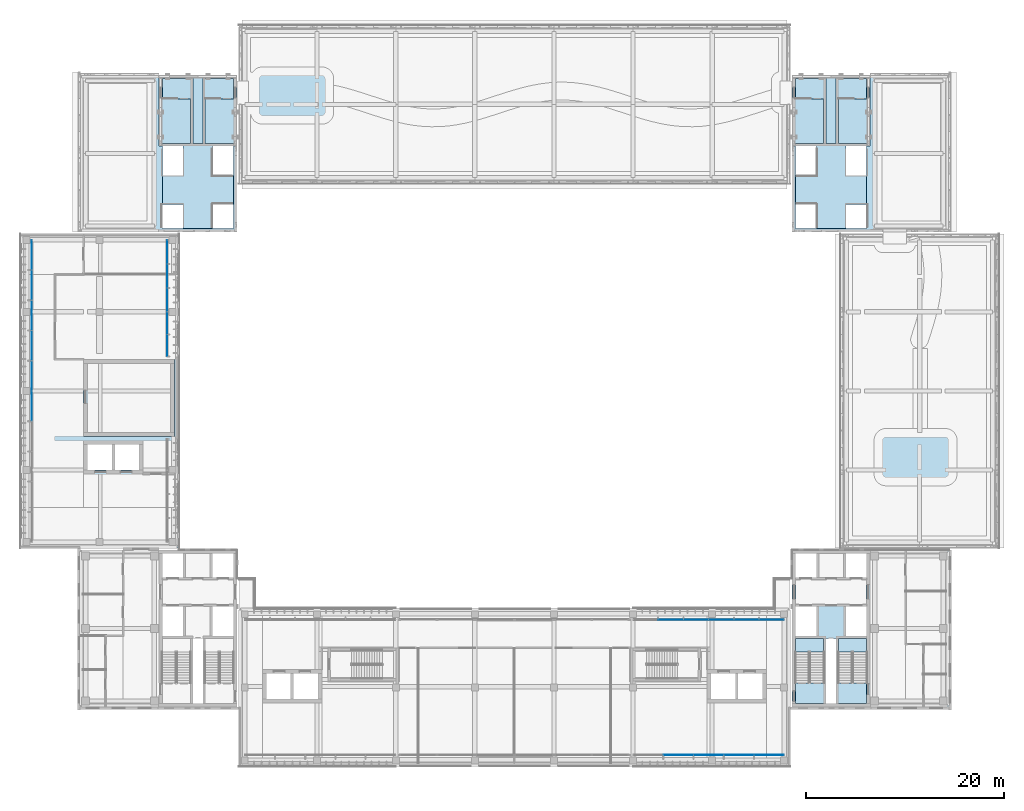
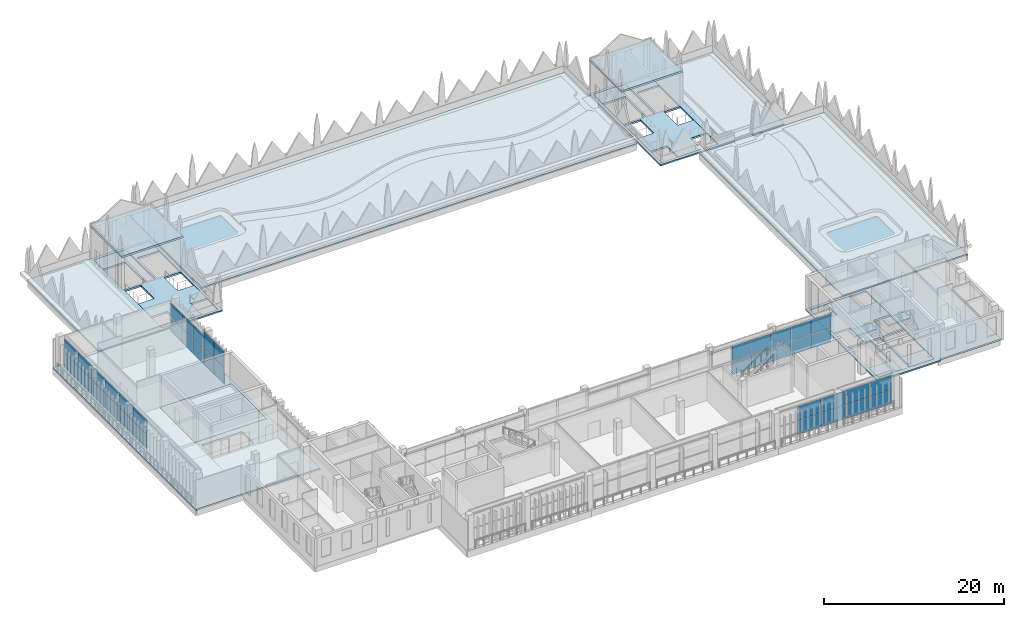
# One storey, part 21 of 46: 40 plates, 14 slabs, 7 elements without a shape of their own.
"""IFC4 building model written with IfcOpenShell, lengths in metres."""

from ifc_helpers import new_model, si_unit, direction, frame, origin, origin_2d, place, context, subcontext, project, spatial, polyline, rectangle, outline, extrude, material, layer, layer_set, type_object, element, aggregate, save


model = new_model("IFC4")

# Units and contexts
model_context = context("Model", 3, precision=1e-05, world=origin(), true_north=direction((0.0, 1.0)))
body_context = subcontext(model_context, "Body", "Model", "MODEL_VIEW")
ifc_project = project(units=[si_unit("LENGTHUNIT", "METRE"), si_unit("AREAUNIT", "SQUARE_METRE"), si_unit("VOLUMEUNIT", "CUBIC_METRE"), si_unit("PLANEANGLEUNIT", "RADIAN"), si_unit("MASSUNIT", "GRAM", prefix="KILO")], contexts=[model_context])

# Site, building, storey
site_placement = place(None, origin())
site = spatial("IfcSite", under=ifc_project, at=site_placement, CompositionType="ELEMENT")
building_placement = place(site_placement, origin())
building = spatial("IfcBuilding", under=site, at=building_placement, Name="Lantern Court Media Centre", CompositionType="ELEMENT")
storey_placement = place(building_placement, frame((0.0, 0.0, 28.800048828125)))
storey = spatial("IfcBuildingStorey", under=building, at=storey_placement, Name="L06", CompositionType="ELEMENT", Elevation=28.800048828125)

# Slabs
ifc_material_1 = material(Name="Concrete C40", Category="concrete")
ifc_layer_1 = layer(ifc_material_1, 0.25)
ifc_layer_set_1 = layer_set([ifc_layer_1], Name="Concrete C40")
slab_type_1 = type_object("IfcSlabType", Name="Core floor slab 250", PredefinedType="FLOOR", material=ifc_layer_set_1)
slab_1_placement = place(storey_placement, frame((0.0, 0.0, -0.25)))
element("IfcSlab", 1, at=slab_1_placement, inside=storey, type_object=slab_type_1, Name="L06 SE core floor", PredefinedType="FLOOR", context=body_context, shape_type="SweptSolid", body=[
    extrude(outline(polyline([(87.64990234375, 55.199951171875), (87.64990234375, 54.94970703125), (84.80029296875, 54.94970703125), (84.80029296875, 50.450439453125), (87.64990234375, 50.450439453125), (87.64990234375, 48.35009765625), (84.550048828125, 48.35009765625), (84.550048828125, 54.949951171875), (83.550048828125, 54.949951171875), (83.550048828125, 48.35009765625), (80.449951171875, 48.35009765625), (80.449951171875, 50.450439453125), (83.299560546875, 50.450439453125), (83.299560546875, 54.94970703125), (80.449951171875, 54.94970703125), (80.449951171875, 55.199951171875), (82.550048828125, 55.199951171875), (82.550048828125, 58.199951171875), (80.449951171875, 58.199951171875), (80.449951171875, 61.10009765625), (82.550048828125, 61.10009765625), (82.550048828125, 63.550048828125), (85.550048828125, 63.550048828125), (85.550048828125, 61.10009765625), (87.64990234375, 61.10009765625), (87.64990234375, 58.199951171875), (85.550048828125, 58.199951171875), (85.550048828125, 55.199951171875), (87.64990234375, 55.199951171875)])), origin(), (0.0, 0.0, 1.0), 0.25),
])
slab_2_placement = place(storey_placement, frame((0.0, 0.0, -0.25)))
element("IfcSlab", 2, at=slab_2_placement, inside=storey, type_object=slab_type_1, Name="L06 NW core floor", PredefinedType="FLOOR", context=body_context, shape_type="SweptSolid", body=[
    extrude(outline(polyline([(16.35009765625, 104.800048828125), (16.35009765625, 105.05029296875), (19.19970703125, 105.05029296875), (19.19970703125, 109.549560546875), (16.35009765625, 109.549560546875), (16.35009765625, 111.64990234375), (19.449951171875, 111.64990234375), (19.449951171875, 105.050048828125), (20.449951171875, 105.050048828125), (20.449951171875, 111.64990234375), (23.550048828125, 111.64990234375), (23.550048828125, 109.549560546875), (20.700439453125, 109.549560546875), (20.700439453125, 105.05029296875), (23.550048828125, 105.05029296875), (23.550048828125, 104.800048828125), (21.449951171875, 104.800048828125), (21.449951171875, 101.800048828125), (23.550048828125, 101.800048828125), (23.550048828125, 98.89990234375), (21.449951171875, 98.89990234375), (21.449951171875, 96.449951171875), (18.449951171875, 96.449951171875), (18.449951171875, 98.89990234375), (16.35009765625, 98.89990234375), (16.35009765625, 101.800048828125), (18.449951171875, 101.800048828125), (18.449951171875, 104.800048828125), (16.35009765625, 104.800048828125)])), origin(), (0.0, 0.0, 1.0), 0.25),
])
slab_3_placement = place(storey_placement, frame((0.0, 0.0, -0.25)))
element("IfcSlab", 3, at=slab_3_placement, inside=storey, type_object=slab_type_1, Name="L06 NE core floor", PredefinedType="FLOOR", context=body_context, shape_type="SweptSolid", body=[
    extrude(outline(polyline([(87.64990234375, 101.800048828125), (87.64990234375, 98.89990234375), (85.550048828125, 98.89990234375), (85.550048828125, 96.449951171875), (82.550048828125, 96.449951171875), (82.550048828125, 98.89990234375), (80.449951171875, 98.89990234375), (80.449951171875, 101.800048828125), (82.550048828125, 101.800048828125), (82.550048828125, 104.800048828125), (80.449951171875, 104.800048828125), (80.449951171875, 105.05029296875), (83.299560546875, 105.05029296875), (83.299560546875, 109.549560546875), (80.449951171875, 109.549560546875), (80.449951171875, 111.64990234375), (83.550048828125, 111.64990234375), (83.550048828125, 105.050048828125), (84.550048828125, 105.050048828125), (84.550048828125, 111.64990234375), (87.64990234375, 111.64990234375), (87.64990234375, 109.549560546875), (84.80029296875, 109.549560546875), (84.80029296875, 105.05029296875), (87.64990234375, 105.05029296875), (87.64990234375, 104.800048828125), (85.550048828125, 104.800048828125), (85.550048828125, 101.800048828125), (87.64990234375, 101.800048828125)])), origin(), (0.0, 0.0, 1.0), 0.25),
])

# Curtain wall, plates
ifc_material_2 = material(Name="Curtain wall bay 2400")
curtain_wall_type_1 = type_object("IfcCurtainWallType", Name="Curtain wall bay 2400", PredefinedType="NOTDEFINED", material=ifc_material_2)
curtain_wall_1_placement = place(storey_placement, origin())
curtain_wall_1 = element("IfcCurtainWall", 4, at=curtain_wall_1_placement, inside=storey, type_object=curtain_wall_type_1, Name="Curtain wall S inner L06", PredefinedType="NOTDEFINED")
ifc_material_3 = material(Name="Low-iron double glazed unit glass", Category="glass")
ifc_layer_2 = layer(ifc_material_3, 0.02392578125)
ifc_layer_set_2 = layer_set([ifc_layer_2], Name="Low-iron double glazed unit glass")
plate_type_1 = type_object("IfcPlateType", Name="Curtain wall glazing unit 24", PredefinedType="CURTAIN_PANEL", material=ifc_layer_set_2)
plate_1_placement = place(storey_placement, frame((67.824951171875, 56.85009765625, 0.050048828125), z_axis=(0.0, 0.0, 1.0), x_axis=(1.0, 0.0, 0.0)))
plate_1 = element("IfcPlate", 5, at=plate_1_placement, type_object=plate_type_1, Name="CW2 panel 2.1", PredefinedType="CURTAIN_PANEL", context=body_context, shape_type="SweptSolid", body=[
    extrude(rectangle(XDim=2.5, YDim=0.02392578125, at=origin_2d()), origin(), (0.0, 0.0, 1.0), 1.89990234375),
])
plate_2_placement = place(storey_placement, frame((67.824951171875, 56.85009765625, 2.0), z_axis=(0.0, 0.0, 1.0), x_axis=(1.0, 0.0, 0.0)))
plate_2 = element("IfcPlate", 6, at=plate_2_placement, type_object=plate_type_1, Name="CW2 panel 2.2", PredefinedType="CURTAIN_PANEL", context=body_context, shape_type="SweptSolid", body=[
    extrude(rectangle(XDim=2.5, YDim=0.02392578125, at=origin_2d()), origin(), (0.0, 0.0, 1.0), 1.89990234375),
])
plate_3_placement = place(storey_placement, frame((70.375, 56.85009765625, 0.050048828125), z_axis=(0.0, 0.0, 1.0), x_axis=(1.0, 0.0, 0.0)))
plate_3 = element("IfcPlate", 7, at=plate_3_placement, type_object=plate_type_1, Name="CW2 panel 3.1", PredefinedType="CURTAIN_PANEL", context=body_context, shape_type="SweptSolid", body=[
    extrude(rectangle(XDim=2.5, YDim=0.02392578125, at=origin_2d()), origin(), (0.0, 0.0, 1.0), 1.89990234375),
])
plate_4_placement = place(storey_placement, frame((70.375, 56.85009765625, 2.0), z_axis=(0.0, 0.0, 1.0), x_axis=(1.0, 0.0, 0.0)))
plate_4 = element("IfcPlate", 8, at=plate_4_placement, type_object=plate_type_1, Name="CW2 panel 3.2", PredefinedType="CURTAIN_PANEL", context=body_context, shape_type="SweptSolid", body=[
    extrude(rectangle(XDim=2.5, YDim=0.02392578125, at=origin_2d()), origin(), (0.0, 0.0, 1.0), 1.89990234375),
])
plate_5_placement = place(storey_placement, frame((72.925048828125, 56.85009765625, 0.050048828125), z_axis=(0.0, 0.0, 1.0), x_axis=(1.0, 0.0, 0.0)))
plate_5 = element("IfcPlate", 9, at=plate_5_placement, type_object=plate_type_1, Name="CW2 panel 4.1", PredefinedType="CURTAIN_PANEL", context=body_context, shape_type="SweptSolid", body=[
    extrude(rectangle(XDim=2.5, YDim=0.02392578125, at=origin_2d()), origin(), (0.0, 0.0, 1.0), 1.89990234375),
])
plate_6_placement = place(storey_placement, frame((72.925048828125, 56.85009765625, 2.0), z_axis=(0.0, 0.0, 1.0), x_axis=(1.0, 0.0, 0.0)))
plate_6 = element("IfcPlate", 10, at=plate_6_placement, type_object=plate_type_1, Name="CW2 panel 4.2", PredefinedType="CURTAIN_PANEL", context=body_context, shape_type="SweptSolid", body=[
    extrude(rectangle(XDim=2.5, YDim=0.02392578125, at=origin_2d()), origin(), (0.0, 0.0, 1.0), 1.89990234375),
])
plate_7_placement = place(storey_placement, frame((75.47509765625, 56.85009765625, 0.050048828125), z_axis=(0.0, 0.0, 1.0), x_axis=(1.0, 0.0, 0.0)))
plate_7 = element("IfcPlate", 11, at=plate_7_placement, type_object=plate_type_1, Name="CW2 panel 5.1", PredefinedType="CURTAIN_PANEL", context=body_context, shape_type="SweptSolid", body=[
    extrude(rectangle(XDim=2.5, YDim=0.02392578125, at=origin_2d()), origin(), (0.0, 0.0, 1.0), 1.89990234375),
])
plate_8_placement = place(storey_placement, frame((75.47509765625, 56.85009765625, 2.0), z_axis=(0.0, 0.0, 1.0), x_axis=(1.0, 0.0, 0.0)))
plate_8 = element("IfcPlate", 12, at=plate_8_placement, type_object=plate_type_1, Name="CW2 panel 5.2", PredefinedType="CURTAIN_PANEL", context=body_context, shape_type="SweptSolid", body=[
    extrude(rectangle(XDim=2.5, YDim=0.02392578125, at=origin_2d()), origin(), (0.0, 0.0, 1.0), 1.89990234375),
])
plate_9_placement = place(storey_placement, frame((78.012451171875, 56.85009765625, 0.050048828125), z_axis=(0.0, 0.0, 1.0), x_axis=(1.0, 0.0, 0.0)))
plate_9 = element("IfcPlate", 13, at=plate_9_placement, type_object=plate_type_1, Name="CW2 panel 6.1", PredefinedType="CURTAIN_PANEL", context=body_context, shape_type="SweptSolid", body=[
    extrude(rectangle(XDim=2.47509765625, YDim=0.02392578125, at=origin_2d()), origin(), (0.0, 0.0, 1.0), 1.89990234375),
])
plate_10_placement = place(storey_placement, frame((78.012451171875, 56.85009765625, 2.0), z_axis=(0.0, 0.0, 1.0), x_axis=(1.0, 0.0, 0.0)))
plate_10 = element("IfcPlate", 14, at=plate_10_placement, type_object=plate_type_1, Name="CW2 panel 6.2", PredefinedType="CURTAIN_PANEL", context=body_context, shape_type="SweptSolid", body=[
    extrude(rectangle(XDim=2.47509765625, YDim=0.02392578125, at=origin_2d()), origin(), (0.0, 0.0, 1.0), 1.89990234375),
])
aggregate(curtain_wall_1, [plate_1, plate_2, plate_3, plate_4, plate_5, plate_6, plate_7, plate_8, plate_9, plate_10])

curtain_wall_2_placement = place(storey_placement, origin())
curtain_wall_2 = element("IfcCurtainWall", 15, at=curtain_wall_2_placement, inside=storey, type_object=curtain_wall_type_1, Name="Curtain wall W inner L06", PredefinedType="NOTDEFINED")
plate_11_placement = place(storey_placement, frame((16.85009765625, 84.60009765625, 0.0498046875), z_axis=(0.0, 0.0, 1.0), x_axis=(0.0, 1.0, 0.0)))
plate_11 = element("IfcPlate", 16, at=plate_11_placement, type_object=plate_type_1, Name="CW2 panel 1.1", PredefinedType="CURTAIN_PANEL", context=body_context, shape_type="SweptSolid", body=[
    extrude(rectangle(XDim=2.199951171875, YDim=0.02392578125, at=origin_2d()), origin(), (0.0, 0.0, 1.0), 2.215087890625),
])
plate_12_placement = place(storey_placement, frame((16.85009765625, 84.60009765625, 2.31494140625), z_axis=(0.0, 0.0, 1.0), x_axis=(0.0, 1.0, 0.0)))
plate_12 = element("IfcPlate", 17, at=plate_12_placement, type_object=plate_type_1, Name="CW2 panel 1.2", PredefinedType="CURTAIN_PANEL", context=body_context, shape_type="SweptSolid", body=[
    extrude(rectangle(XDim=2.199951171875, YDim=0.02392578125, at=origin_2d()), origin(), (0.0, 0.0, 1.0), 2.215087890625),
])
plate_13_placement = place(storey_placement, frame((16.85009765625, 86.85009765625, 0.0498046875), z_axis=(0.0, 0.0, 1.0), x_axis=(0.0, 1.0, 0.0)))
plate_13 = element("IfcPlate", 18, at=plate_13_placement, type_object=plate_type_1, Name="CW2 panel 2.1", PredefinedType="CURTAIN_PANEL", context=body_context, shape_type="SweptSolid", body=[
    extrude(rectangle(XDim=2.199951171875, YDim=0.02392578125, at=origin_2d()), origin(), (0.0, 0.0, 1.0), 2.215087890625),
])
plate_14_placement = place(storey_placement, frame((16.85009765625, 86.85009765625, 2.31494140625), z_axis=(0.0, 0.0, 1.0), x_axis=(0.0, 1.0, 0.0)))
plate_14 = element("IfcPlate", 19, at=plate_14_placement, type_object=plate_type_1, Name="CW2 panel 2.2", PredefinedType="CURTAIN_PANEL", context=body_context, shape_type="SweptSolid", body=[
    extrude(rectangle(XDim=2.199951171875, YDim=0.02392578125, at=origin_2d()), origin(), (0.0, 0.0, 1.0), 2.215087890625),
])
aggregate(curtain_wall_2, [plate_11, plate_12, plate_13, plate_14])

curtain_wall_3_placement = place(storey_placement, origin())
curtain_wall_3 = element("IfcCurtainWall", 20, at=curtain_wall_3_placement, inside=storey, type_object=curtain_wall_type_1, Name="Curtain wall W inner L06", PredefinedType="NOTDEFINED")
plate_15_placement = place(storey_placement, frame((16.85009765625, 89.229248046875, 0.050048828125), z_axis=(0.0, 0.0, 1.0), x_axis=(0.0, 1.0, 0.0)))
plate_15 = element("IfcPlate", 21, at=plate_15_placement, type_object=plate_type_1, Name="CW2 panel 1.1", PredefinedType="CURTAIN_PANEL", context=body_context, shape_type="SweptSolid", body=[
    extrude(rectangle(XDim=2.3583984375, YDim=0.02392578125, at=origin_2d()), origin(), (0.0, 0.0, 1.0), 1.89990234375),
])
plate_16_placement = place(storey_placement, frame((16.85009765625, 89.229248046875, 2.0), z_axis=(0.0, 0.0, 1.0), x_axis=(0.0, 1.0, 0.0)))
plate_16 = element("IfcPlate", 22, at=plate_16_placement, type_object=plate_type_1, Name="CW2 panel 1.2", PredefinedType="CURTAIN_PANEL", context=body_context, shape_type="SweptSolid", body=[
    extrude(rectangle(XDim=2.3583984375, YDim=0.02392578125, at=origin_2d()), origin(), (0.0, 0.0, 1.0), 1.89990234375),
])
plate_17_placement = place(storey_placement, frame((16.85009765625, 91.64990234375, 0.050048828125), z_axis=(0.0, 0.0, 1.0), x_axis=(0.0, 1.0, 0.0)))
plate_17 = element("IfcPlate", 23, at=plate_17_placement, type_object=plate_type_1, Name="CW2 panel 2.1", PredefinedType="CURTAIN_PANEL", context=body_context, shape_type="SweptSolid", body=[
    extrude(rectangle(XDim=2.38330078125, YDim=0.02392578125, at=origin_2d()), origin(), (0.0, 0.0, 1.0), 1.89990234375),
])
plate_18_placement = place(storey_placement, frame((16.85009765625, 91.64990234375, 2.0), z_axis=(0.0, 0.0, 1.0), x_axis=(0.0, 1.0, 0.0)))
plate_18 = element("IfcPlate", 24, at=plate_18_placement, type_object=plate_type_1, Name="CW2 panel 2.2", PredefinedType="CURTAIN_PANEL", context=body_context, shape_type="SweptSolid", body=[
    extrude(rectangle(XDim=2.38330078125, YDim=0.02392578125, at=origin_2d()), origin(), (0.0, 0.0, 1.0), 1.89990234375),
])
plate_19_placement = place(storey_placement, frame((16.85009765625, 94.07080078125, 0.050048828125), z_axis=(0.0, 0.0, 1.0), x_axis=(0.0, 1.0, 0.0)))
plate_19 = element("IfcPlate", 25, at=plate_19_placement, type_object=plate_type_1, Name="CW2 panel 3.1", PredefinedType="CURTAIN_PANEL", context=body_context, shape_type="SweptSolid", body=[
    extrude(rectangle(XDim=2.3583984375, YDim=0.02392578125, at=origin_2d()), origin(), (0.0, 0.0, 1.0), 1.89990234375),
])
plate_20_placement = place(storey_placement, frame((16.85009765625, 94.07080078125, 2.0), z_axis=(0.0, 0.0, 1.0), x_axis=(0.0, 1.0, 0.0)))
plate_20 = element("IfcPlate", 26, at=plate_20_placement, type_object=plate_type_1, Name="CW2 panel 3.2", PredefinedType="CURTAIN_PANEL", context=body_context, shape_type="SweptSolid", body=[
    extrude(rectangle(XDim=2.3583984375, YDim=0.02392578125, at=origin_2d()), origin(), (0.0, 0.0, 1.0), 1.89990234375),
])
aggregate(curtain_wall_3, [plate_15, plate_16, plate_17, plate_18, plate_19, plate_20])

ifc_material_4 = material(Name="Curtain wall bay 3000")
curtain_wall_type_2 = type_object("IfcCurtainWallType", Name="Curtain wall bay 3000", PredefinedType="NOTDEFINED", material=ifc_material_4)
curtain_wall_4_placement = place(storey_placement, origin())
curtain_wall_4 = element("IfcCurtainWall", 27, at=curtain_wall_4_placement, inside=storey, type_object=curtain_wall_type_2, Name="Curtain wall S outer L06", PredefinedType="NOTDEFINED")
ifc_layer_3 = layer(ifc_material_3, 0.028076171875)
ifc_layer_set_3 = layer_set([ifc_layer_3], Name="Low-iron double glazed unit glass")
plate_type_2 = type_object("IfcPlateType", Name="Curtain wall glazing unit 28", PredefinedType="CURTAIN_PANEL", material=ifc_layer_set_3)
plate_21_placement = place(storey_placement, frame((68.590087890625, 43.14990234375, 0.06005859375), z_axis=(0.0, 0.0, 1.0), x_axis=(1.0, 0.0, 0.0)))
plate_21 = element("IfcPlate", 28, at=plate_21_placement, type_object=plate_type_2, Name="CW1 panel 2.1", PredefinedType="CURTAIN_PANEL", context=body_context, shape_type="SweptSolid", body=[
    extrude(rectangle(XDim=3.0, YDim=0.028076171875, at=origin_2d()), origin(), (0.0, 0.0, 1.0), 1.885009765625),
])
plate_22_placement = place(storey_placement, frame((68.590087890625, 43.14990234375, 2.0048828125), z_axis=(0.0, 0.0, 1.0), x_axis=(1.0, 0.0, 0.0)))
plate_22 = element("IfcPlate", 29, at=plate_22_placement, type_object=plate_type_2, Name="CW1 panel 2.2", PredefinedType="CURTAIN_PANEL", context=body_context, shape_type="SweptSolid", body=[
    extrude(rectangle(XDim=3.0, YDim=0.028076171875, at=origin_2d()), origin(), (0.0, 0.0, 1.0), 1.885009765625),
])
plate_23_placement = place(storey_placement, frame((71.64990234375, 43.14990234375, 0.06005859375), z_axis=(0.0, 0.0, 1.0), x_axis=(1.0, 0.0, 0.0)))
plate_23 = element("IfcPlate", 30, at=plate_23_placement, type_object=plate_type_2, Name="CW1 panel 3.1", PredefinedType="CURTAIN_PANEL", context=body_context, shape_type="SweptSolid", body=[
    extrude(rectangle(XDim=3.0, YDim=0.028076171875, at=origin_2d()), origin(), (0.0, 0.0, 1.0), 1.885009765625),
])
plate_24_placement = place(storey_placement, frame((71.64990234375, 43.14990234375, 2.0048828125), z_axis=(0.0, 0.0, 1.0), x_axis=(1.0, 0.0, 0.0)))
plate_24 = element("IfcPlate", 31, at=plate_24_placement, type_object=plate_type_2, Name="CW1 panel 3.2", PredefinedType="CURTAIN_PANEL", context=body_context, shape_type="SweptSolid", body=[
    extrude(rectangle(XDim=3.0, YDim=0.028076171875, at=origin_2d()), origin(), (0.0, 0.0, 1.0), 1.885009765625),
])
plate_25_placement = place(storey_placement, frame((74.7099609375, 43.14990234375, 0.06005859375), z_axis=(0.0, 0.0, 1.0), x_axis=(1.0, 0.0, 0.0)))
plate_25 = element("IfcPlate", 32, at=plate_25_placement, type_object=plate_type_2, Name="CW1 panel 4.1", PredefinedType="CURTAIN_PANEL", context=body_context, shape_type="SweptSolid", body=[
    extrude(rectangle(XDim=3.0, YDim=0.028076171875, at=origin_2d()), origin(), (0.0, 0.0, 1.0), 1.885009765625),
])
plate_26_placement = place(storey_placement, frame((74.7099609375, 43.14990234375, 2.0048828125), z_axis=(0.0, 0.0, 1.0), x_axis=(1.0, 0.0, 0.0)))
plate_26 = element("IfcPlate", 33, at=plate_26_placement, type_object=plate_type_2, Name="CW1 panel 4.2", PredefinedType="CURTAIN_PANEL", context=body_context, shape_type="SweptSolid", body=[
    extrude(rectangle(XDim=3.0, YDim=0.028076171875, at=origin_2d()), origin(), (0.0, 0.0, 1.0), 1.885009765625),
])
plate_27_placement = place(storey_placement, frame((77.7548828125, 43.14990234375, 0.06005859375), z_axis=(0.0, 0.0, 1.0), x_axis=(1.0, 0.0, 0.0)))
plate_27 = element("IfcPlate", 34, at=plate_27_placement, type_object=plate_type_2, Name="CW1 panel 5.1", PredefinedType="CURTAIN_PANEL", context=body_context, shape_type="SweptSolid", body=[
    extrude(rectangle(XDim=2.969970703125, YDim=0.028076171875, at=origin_2d()), origin(), (0.0, 0.0, 1.0), 1.885009765625),
])
plate_28_placement = place(storey_placement, frame((77.7548828125, 43.14990234375, 2.0048828125), z_axis=(0.0, 0.0, 1.0), x_axis=(1.0, 0.0, 0.0)))
plate_28 = element("IfcPlate", 35, at=plate_28_placement, type_object=plate_type_2, Name="CW1 panel 5.2", PredefinedType="CURTAIN_PANEL", context=body_context, shape_type="SweptSolid", body=[
    extrude(rectangle(XDim=2.969970703125, YDim=0.028076171875, at=origin_2d()), origin(), (0.0, 0.0, 1.0), 1.885009765625),
])
aggregate(curtain_wall_4, [plate_21, plate_22, plate_23, plate_24, plate_25, plate_26, plate_27, plate_28])

curtain_wall_5_placement = place(storey_placement, origin())
curtain_wall_5 = element("IfcCurtainWall", 36, at=curtain_wall_5_placement, inside=storey, type_object=curtain_wall_type_2, Name="Curtain wall W outer L06", PredefinedType="NOTDEFINED")
plate_29_placement = place(storey_placement, frame((3.14990234375, 78.469970703125, 0.06005859375), z_axis=(0.0, 0.0, 1.0), x_axis=(0.0, 1.0, 0.0)))
plate_29 = element("IfcPlate", 37, at=plate_29_placement, type_object=plate_type_2, Name="CW1 panel 5.1", PredefinedType="CURTAIN_PANEL", context=body_context, shape_type="SweptSolid", body=[
    extrude(rectangle(XDim=3.0, YDim=0.028076171875, at=origin_2d()), origin(), (0.0, 0.0, 1.0), 1.885009765625),
])
plate_30_placement = place(storey_placement, frame((3.14990234375, 78.469970703125, 2.0048828125), z_axis=(0.0, 0.0, 1.0), x_axis=(0.0, 1.0, 0.0)))
plate_30 = element("IfcPlate", 38, at=plate_30_placement, type_object=plate_type_2, Name="CW1 panel 5.2", PredefinedType="CURTAIN_PANEL", context=body_context, shape_type="SweptSolid", body=[
    extrude(rectangle(XDim=3.0, YDim=0.028076171875, at=origin_2d()), origin(), (0.0, 0.0, 1.0), 1.885009765625),
])
plate_31_placement = place(storey_placement, frame((3.14990234375, 81.530029296875, 0.06005859375), z_axis=(0.0, 0.0, 1.0), x_axis=(0.0, 1.0, 0.0)))
plate_31 = element("IfcPlate", 39, at=plate_31_placement, type_object=plate_type_2, Name="CW1 panel 6.1", PredefinedType="CURTAIN_PANEL", context=body_context, shape_type="SweptSolid", body=[
    extrude(rectangle(XDim=3.0, YDim=0.028076171875, at=origin_2d()), origin(), (0.0, 0.0, 1.0), 1.885009765625),
])
plate_32_placement = place(storey_placement, frame((3.14990234375, 81.530029296875, 2.0048828125), z_axis=(0.0, 0.0, 1.0), x_axis=(0.0, 1.0, 0.0)))
plate_32 = element("IfcPlate", 40, at=plate_32_placement, type_object=plate_type_2, Name="CW1 panel 6.2", PredefinedType="CURTAIN_PANEL", context=body_context, shape_type="SweptSolid", body=[
    extrude(rectangle(XDim=3.0, YDim=0.028076171875, at=origin_2d()), origin(), (0.0, 0.0, 1.0), 1.885009765625),
])
plate_33_placement = place(storey_placement, frame((3.14990234375, 84.590087890625, 0.06005859375), z_axis=(0.0, 0.0, 1.0), x_axis=(0.0, 1.0, 0.0)))
plate_33 = element("IfcPlate", 41, at=plate_33_placement, type_object=plate_type_2, Name="CW1 panel 7.1", PredefinedType="CURTAIN_PANEL", context=body_context, shape_type="SweptSolid", body=[
    extrude(rectangle(XDim=3.0, YDim=0.028076171875, at=origin_2d()), origin(), (0.0, 0.0, 1.0), 1.885009765625),
])
plate_34_placement = place(storey_placement, frame((3.14990234375, 84.590087890625, 2.0048828125), z_axis=(0.0, 0.0, 1.0), x_axis=(0.0, 1.0, 0.0)))
plate_34 = element("IfcPlate", 42, at=plate_34_placement, type_object=plate_type_2, Name="CW1 panel 7.2", PredefinedType="CURTAIN_PANEL", context=body_context, shape_type="SweptSolid", body=[
    extrude(rectangle(XDim=3.0, YDim=0.028076171875, at=origin_2d()), origin(), (0.0, 0.0, 1.0), 1.885009765625),
])
plate_35_placement = place(storey_placement, frame((3.14990234375, 87.64990234375, 0.06005859375), z_axis=(0.0, 0.0, 1.0), x_axis=(0.0, 1.0, 0.0)))
plate_35 = element("IfcPlate", 43, at=plate_35_placement, type_object=plate_type_2, Name="CW1 panel 8.1", PredefinedType="CURTAIN_PANEL", context=body_context, shape_type="SweptSolid", body=[
    extrude(rectangle(XDim=3.0, YDim=0.028076171875, at=origin_2d()), origin(), (0.0, 0.0, 1.0), 1.885009765625),
])
plate_36_placement = place(storey_placement, frame((3.14990234375, 87.64990234375, 2.0048828125), z_axis=(0.0, 0.0, 1.0), x_axis=(0.0, 1.0, 0.0)))
plate_36 = element("IfcPlate", 44, at=plate_36_placement, type_object=plate_type_2, Name="CW1 panel 8.2", PredefinedType="CURTAIN_PANEL", context=body_context, shape_type="SweptSolid", body=[
    extrude(rectangle(XDim=3.0, YDim=0.028076171875, at=origin_2d()), origin(), (0.0, 0.0, 1.0), 1.885009765625),
])
plate_37_placement = place(storey_placement, frame((3.14990234375, 90.7099609375, 0.06005859375), z_axis=(0.0, 0.0, 1.0), x_axis=(0.0, 1.0, 0.0)))
plate_37 = element("IfcPlate", 45, at=plate_37_placement, type_object=plate_type_2, Name="CW1 panel 9.1", PredefinedType="CURTAIN_PANEL", context=body_context, shape_type="SweptSolid", body=[
    extrude(rectangle(XDim=3.0, YDim=0.028076171875, at=origin_2d()), origin(), (0.0, 0.0, 1.0), 1.885009765625),
])
plate_38_placement = place(storey_placement, frame((3.14990234375, 90.7099609375, 2.0048828125), z_axis=(0.0, 0.0, 1.0), x_axis=(0.0, 1.0, 0.0)))
plate_38 = element("IfcPlate", 46, at=plate_38_placement, type_object=plate_type_2, Name="CW1 panel 9.2", PredefinedType="CURTAIN_PANEL", context=body_context, shape_type="SweptSolid", body=[
    extrude(rectangle(XDim=3.0, YDim=0.028076171875, at=origin_2d()), origin(), (0.0, 0.0, 1.0), 1.885009765625),
])
plate_39_placement = place(storey_placement, frame((3.14990234375, 93.7548828125, 0.06005859375), z_axis=(0.0, 0.0, 1.0), x_axis=(0.0, 1.0, 0.0)))
plate_39 = element("IfcPlate", 47, at=plate_39_placement, type_object=plate_type_2, Name="CW1 panel 10.1", PredefinedType="CURTAIN_PANEL", context=body_context, shape_type="SweptSolid", body=[
    extrude(rectangle(XDim=2.969970703125, YDim=0.028076171875, at=origin_2d()), origin(), (0.0, 0.0, 1.0), 1.885009765625),
])
plate_40_placement = place(storey_placement, frame((3.14990234375, 93.7548828125, 2.0048828125), z_axis=(0.0, 0.0, 1.0), x_axis=(0.0, 1.0, 0.0)))
plate_40 = element("IfcPlate", 48, at=plate_40_placement, type_object=plate_type_2, Name="CW1 panel 10.2", PredefinedType="CURTAIN_PANEL", context=body_context, shape_type="SweptSolid", body=[
    extrude(rectangle(XDim=2.969970703125, YDim=0.028076171875, at=origin_2d()), origin(), (0.0, 0.0, 1.0), 1.885009765625),
])
aggregate(curtain_wall_5, [plate_29, plate_30, plate_31, plate_32, plate_33, plate_34, plate_35, plate_36, plate_37, plate_38, plate_39, plate_40])

# Slabs
ifc_layer_4 = layer(ifc_material_1, 0.25)
ifc_layer_set_4 = layer_set([ifc_layer_4], Name="Concrete C40")
slab_type_2 = type_object("IfcSlabType", Name="Head-house roof slab 250", PredefinedType="ROOF", material=ifc_layer_set_4)
slab_4_placement = place(storey_placement, frame((0.0, 0.0, 4.5)))
element("IfcSlab", 49, at=slab_4_placement, inside=storey, type_object=slab_type_2, Name="NW head-house roof", PredefinedType="ROOF", context=body_context, shape_type="SweptSolid", body=[
    extrude(outline(polyline([(16.0, 112.0), (23.89990234375, 112.0), (23.89990234375, 104.800048828125), (16.0, 104.800048828125), (16.0, 112.0)])), origin(), (0.0, 0.0, 1.0), 0.25),
])
slab_5_placement = place(storey_placement, frame((0.0, 0.0, 4.5)))
element("IfcSlab", 50, at=slab_5_placement, inside=storey, type_object=slab_type_2, Name="NE head-house roof", PredefinedType="ROOF", context=body_context, shape_type="SweptSolid", body=[
    extrude(outline(polyline([(88.0, 112.0), (80.10009765625, 112.0), (80.10009765625, 104.800048828125), (88.0, 104.800048828125), (88.0, 112.0)])), origin(), (0.0, 0.0, 1.0), 0.25),
])
ifc_material_5 = material(Name="Concrete C35", Category="concrete")
ifc_layer_5 = layer(ifc_material_5, 0.199951171875)
ifc_layer_set_5 = layer_set([ifc_layer_5], Name="Concrete C35")
slab_type_3 = type_object("IfcSlabType", Name="RC FLOOR SLAB 200", PredefinedType="FLOOR", material=ifc_layer_set_5)
slab_6_placement = place(storey_placement, frame((0.0, 0.0, -0.199951171875)))
element("IfcSlab", 51, at=slab_6_placement, inside=storey, type_object=slab_type_3, Name="SL-SE-L06", PredefinedType="FLOOR", context=body_context, shape_type="SweptSolid", body=[
    extrude(outline(polyline([(80.10009765625, 63.89990234375), (96.0, 63.89990234375), (96.0, 48.0), (88.10009765625, 48.0), (88.10009765625, 47.780029296875), (80.10009765625, 47.780029296875), (80.10009765625, 48.0), (80.10009765625, 63.89990234375)]), holes=[polyline([(80.449951171875, 63.550048828125), (80.449951171875, 48.35009765625), (87.64990234375, 48.35009765625), (87.64990234375, 63.550048828125), (80.449951171875, 63.550048828125)])]), origin(), (0.0, 0.0, 1.0), 0.199951171875),
])
ifc_layer_6 = layer(ifc_material_5, 0.219970703125)
ifc_layer_set_6 = layer_set([ifc_layer_6], Name="Concrete C35")
slab_type_4 = type_object("IfcSlabType", Name="RC FLOOR SLAB 220", PredefinedType="FLOOR", material=ifc_layer_set_6)
slab_7_placement = place(storey_placement, frame((0.0, 0.0, -0.219970703125)))
element("IfcSlab", 52, at=slab_7_placement, inside=storey, type_object=slab_type_4, Name="SL-W-L06", PredefinedType="FLOOR", context=body_context, shape_type="SweptSolid", body=[
    extrude(outline(polyline([(8.39990234375, 64.10009765625), (2.0, 64.10009765625), (2.0, 95.89990234375), (8.39990234375, 95.89990234375), (17.60009765625, 95.89990234375), (18.0, 95.89990234375), (18.0, 64.10009765625), (17.60009765625, 64.10009765625), (8.39990234375, 64.10009765625)]), holes=[polyline([(8.39990234375, 75.39990234375), (17.60009765625, 75.39990234375), (17.60009765625, 83.199951171875), (8.39990234375, 83.199951171875), (8.39990234375, 75.39990234375)]), polyline([(14.0, 74.60009765625), (8.800048828125, 74.60009765625), (8.800048828125, 72.0), (14.0, 72.0), (14.0, 74.60009765625)])]), origin(), (0.0, 0.0, 1.0), 0.219970703125),
])
ifc_layer_7 = layer(ifc_material_5, 0.419921875)
ifc_layer_set_7 = layer_set([ifc_layer_7], Name="Concrete C35")
slab_type_5 = type_object("IfcSlabType", Name="RC FLOOR SLAB 420", PredefinedType="FLOOR", material=ifc_layer_set_7)
slab_8_placement = place(storey_placement, frame((0.0, 0.0, -0.420166015625)))
element("IfcSlab", 53, at=slab_8_placement, inside=storey, type_object=slab_type_5, Name="SL-W-L06-D1", PredefinedType="FLOOR", context=body_context, shape_type="SweptSolid", body=[
    extrude(outline(polyline([(17.60009765625, 75.39990234375), (17.60009765625, 83.199951171875), (8.39990234375, 83.199951171875), (8.39990234375, 75.39990234375), (17.60009765625, 75.39990234375)])), origin(), (0.0, 0.0, 1.0), 0.420166015625),
])
ifc_layer_8 = layer(ifc_material_5, 0.199951171875)
ifc_layer_set_8 = layer_set([ifc_layer_8], Name="Concrete C35")
slab_type_6 = type_object("IfcSlabType", Name="RC ROOF SLAB 200", PredefinedType="ROOF", material=ifc_layer_set_8)
slab_9_placement = place(storey_placement, frame((0.0, 0.0, -0.199951171875)))
element("IfcSlab", 54, at=slab_9_placement, inside=storey, type_object=slab_type_6, Name="SL-NW-ROOF", PredefinedType="ROOF", context=body_context, shape_type="SweptSolid", body=[
    extrude(outline(polyline([(8.0, 96.10009765625), (8.0, 112.0), (23.89990234375, 112.0), (23.89990234375, 96.10009765625), (8.0, 96.10009765625)]), holes=[polyline([(23.550048828125, 111.64990234375), (16.35009765625, 111.64990234375), (16.35009765625, 96.449951171875), (23.550048828125, 96.449951171875), (23.550048828125, 111.64990234375)])]), origin(), (0.0, 0.0, 1.0), 0.199951171875),
])
slab_10_placement = place(storey_placement, frame((0.0, 0.0, -0.199951171875)))
element("IfcSlab", 55, at=slab_10_placement, inside=storey, type_object=slab_type_6, Name="SL-NE-ROOF", PredefinedType="ROOF", context=body_context, shape_type="SweptSolid", body=[
    extrude(outline(polyline([(80.10009765625, 96.10009765625), (80.10009765625, 112.0), (96.0, 112.0), (96.0, 96.10009765625), (80.10009765625, 96.10009765625)]), holes=[polyline([(87.64990234375, 111.64990234375), (80.449951171875, 111.64990234375), (80.449951171875, 96.449951171875), (87.64990234375, 96.449951171875), (87.64990234375, 111.64990234375)])]), origin(), (0.0, 0.0, 1.0), 0.199951171875),
])
slab_11_placement = place(storey_placement, frame((0.0, 0.0, -0.199951171875)))
element("IfcSlab", 56, at=slab_11_placement, inside=storey, type_object=slab_type_6, Name="SL-N-ROOF", PredefinedType="ROOF", context=body_context, shape_type="SweptSolid", body=[
    extrude(outline(polyline([(79.89990234375, 101.0), (79.89990234375, 117.0), (24.10009765625, 117.0), (24.10009765625, 101.0), (79.89990234375, 101.0)])), origin(), (0.0, 0.0, 1.0), 0.199951171875),
])
slab_12_placement = place(storey_placement, frame((0.0, 0.0, -0.199951171875)))
element("IfcSlab", 57, at=slab_12_placement, inside=storey, type_object=slab_type_6, Name="SL-E-ROOF", PredefinedType="ROOF", context=body_context, shape_type="SweptSolid", body=[
    extrude(outline(polyline([(101.0, 64.10009765625), (101.0, 95.89990234375), (85.0, 95.89990234375), (85.0, 64.10009765625), (101.0, 64.10009765625)])), origin(), (0.0, 0.0, 1.0), 0.199951171875),
])

# Stair, slab
stair_type = type_object("IfcStairType", Name="Exit stair 1350", PredefinedType="HALF_TURN_STAIR", material=ifc_material_1)
stair_1_placement = place(storey_placement, origin())
stair_1 = element("IfcStair", 58, at=stair_1_placement, inside=storey, type_object=stair_type, Name="L06 SE exit stair A", PredefinedType="HALF_TURN_STAIR")
ifc_layer_9 = layer(ifc_material_1, 0.199951171875)
ifc_layer_set_9 = layer_set([ifc_layer_9], Name="Concrete C40")
slab_type_7 = type_object("IfcSlabType", Name="Stair landing RC 200", PredefinedType="LANDING", material=ifc_layer_set_9)
slab_13_placement = place(storey_placement, frame((0.0, 0.0, 2.199951171875)))
slab_13 = element("IfcSlab", 59, at=slab_13_placement, type_object=slab_type_7, Name="ST-SEA landing 1", PredefinedType="LANDING", context=body_context, shape_type="SweptSolid", body=[
    extrude(outline(polyline([(87.64990234375, 53.570068359375), (87.64990234375, 54.949951171875), (84.800048828125, 54.949951171875), (84.800048828125, 53.570068359375), (87.64990234375, 53.570068359375)])), origin(), (0.0, 0.0, 1.0), 0.199951171875),
])
aggregate(stair_1, [slab_13])

stair_2_placement = place(storey_placement, origin())
stair_2 = element("IfcStair", 60, at=stair_2_placement, inside=storey, type_object=stair_type, Name="L06 SE exit stair B", PredefinedType="HALF_TURN_STAIR")
slab_14_placement = place(storey_placement, frame((0.0, 0.0, 2.199951171875)))
slab_14 = element("IfcSlab", 61, at=slab_14_placement, type_object=slab_type_7, Name="ST-SEB landing 1", PredefinedType="LANDING", context=body_context, shape_type="SweptSolid", body=[
    extrude(outline(polyline([(83.300048828125, 53.570068359375), (83.300048828125, 54.949951171875), (80.449951171875, 54.949951171875), (80.449951171875, 53.570068359375), (83.300048828125, 53.570068359375)])), origin(), (0.0, 0.0, 1.0), 0.199951171875),
])
aggregate(stair_2, [slab_14])

save(model, "model.ifc")
